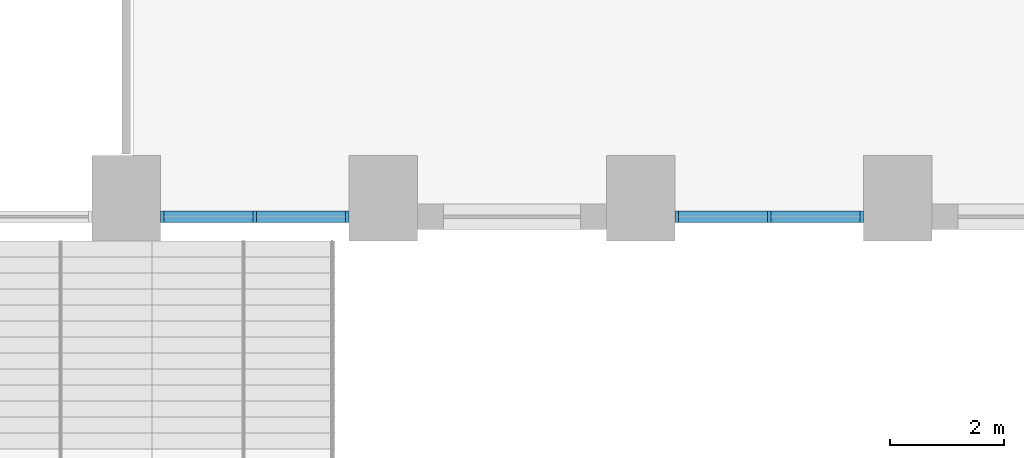
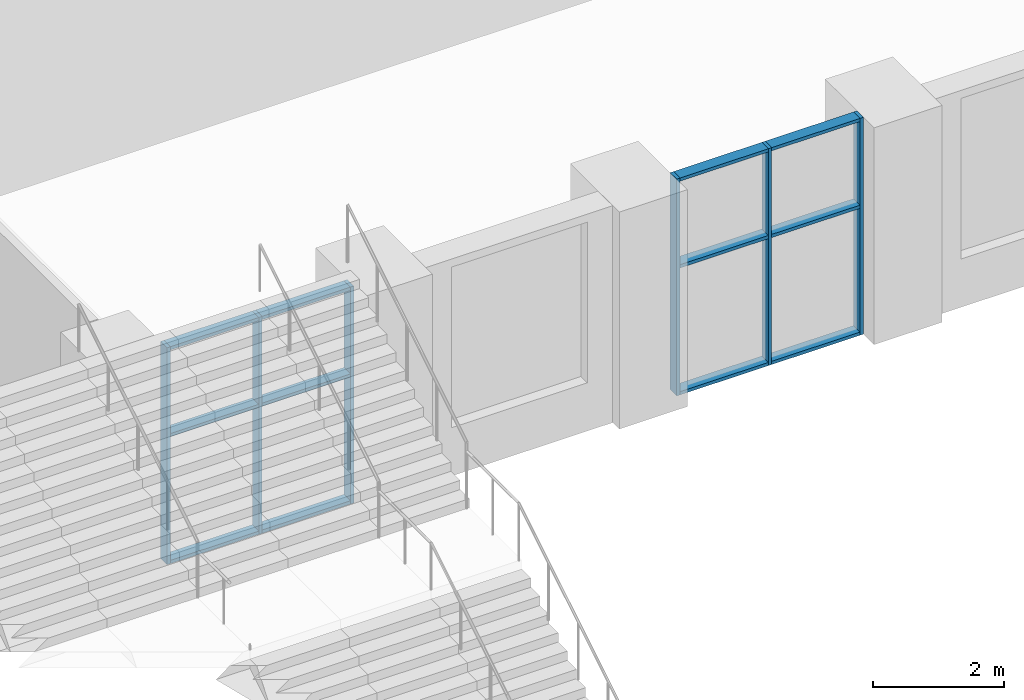
# One storey, part 4 of 42: 18 members, 2 elements without a shape of their own.
"""IFC4 building model written with IfcOpenShell, lengths in metres."""

import ifcopenshell
import ifcopenshell.guid

model = None  # the IFC model being written
_history = None  # IfcOwnerHistory: only IFC2X3 demands one
_inside = {}  # id of a spatial element -> (the spatial element, [elements in it])
_under = {}  # id of a project, library or spatial element -> (it, [spatial elements below it])
_declared = {}  # id of a project -> (the project, [libraries it declares])
_typed = {}  # id of a type object -> (the type object, [elements of that type])
_made_of = {}  # id of a material, layer set ... -> (it, [elements and type objects made of it])


def new_model(schema):
    """Start an empty IFC model of exactly this schema.

    Asked for "IFC4X3", IfcOpenShell would pick the latest addendum, in which some entities
    have other attributes; the version numbers below select the first issue.
    IFC2X3 requires an IfcOwnerHistory on every rooted entity: one is made here for all.
    """
    global model, _history
    if schema == "IFC4X3":
        model = ifcopenshell.file(schema_version=(4, 3, 0, 0))
    else:
        model = ifcopenshell.file(schema=schema)
    _inside.clear()
    _under.clear()
    _declared.clear()
    _typed.clear()
    _made_of.clear()
    _history = None
    if model.schema == "IFC2X3":
        org = make("IfcOrganization", Name="unknown")
        user = make(
            "IfcPersonAndOrganization",
            ThePerson=make("IfcPerson", FamilyName="unknown"),
            TheOrganization=org,
        )
        app = make(
            "IfcApplication",
            ApplicationDeveloper=org,
            Version="unknown",
            ApplicationFullName="unknown",
            ApplicationIdentifier="unknown",
        )
        _history = make(
            "IfcOwnerHistory",
            OwningUser=user,
            OwningApplication=app,
            ChangeAction="ADDED",
            CreationDate=0,
        )
    return model


def make(cls, **values):
    """One entity of the class cls with the attributes given. An attribute that is None is left unset."""
    return model.create_entity(
        cls, **{name: value for name, value in values.items() if value is not None}
    )


def rooted(cls, **values):
    """An entity with a GlobalId (a new one), such as an element, a storey or a relation."""
    return make(cls, GlobalId=ifcopenshell.guid.new(), OwnerHistory=_history, **values)


def si_unit(unit_type, name, prefix=None):
    """IfcSIUnit, for example si_unit("LENGTHUNIT", "METRE", prefix="MILLI")."""
    return make("IfcSIUnit", UnitType=unit_type, Prefix=prefix, Name=name)


def assignment(units):
    """IfcUnitAssignment: the units of a project."""
    return None if units is None else make("IfcUnitAssignment", Units=units)


def point(xyz):
    """IfcCartesianPoint."""
    return None if xyz is None else make("IfcCartesianPoint", Coordinates=xyz)


def direction(xyz):
    """IfcDirection."""
    return None if xyz is None else make("IfcDirection", DirectionRatios=xyz)


def frame(location, z_axis=None, x_axis=None):
    """IfcAxis2Placement3D, a coordinate frame: its origin and axes. An axis left out is left unset."""
    return make(
        "IfcAxis2Placement3D",
        Location=point(location),
        Axis=direction(z_axis),
        RefDirection=direction(x_axis),
    )


def frame_2d(location, x_axis=None):
    """IfcAxis2Placement2D, a coordinate frame in the plane: its origin and x axis."""
    return make(
        "IfcAxis2Placement2D", Location=point(location), RefDirection=direction(x_axis)
    )


def origin():
    """The frame at (0, 0, 0) with its axes left unset."""
    return frame((0.0, 0.0, 0.0))


def origin_2d():
    """The frame at (0, 0) in the plane with its x axis left unset."""
    return frame_2d((0.0, 0.0))


def place(relative_to, where):
    """IfcLocalPlacement: puts the frame where relative to a parent placement (None: the world)."""
    return make(
        "IfcLocalPlacement", PlacementRelTo=relative_to, RelativePlacement=where
    )


def context(
    kind, dimensions, precision=None, world=None, true_north=None, identifier=None
):
    """IfcGeometricRepresentationContext, for example the 3D "Model" context."""
    return make(
        "IfcGeometricRepresentationContext",
        ContextIdentifier=identifier,
        ContextType=kind,
        CoordinateSpaceDimension=dimensions,
        Precision=precision,
        WorldCoordinateSystem=world,
        TrueNorth=true_north,
    )


def subcontext(parent, identifier, kind, view, scale=None):
    """IfcGeometricRepresentationSubContext, for example "Body" below "Model"."""
    return make(
        "IfcGeometricRepresentationSubContext",
        ContextIdentifier=identifier,
        ContextType=kind,
        ParentContext=parent,
        TargetScale=scale,
        TargetView=view,
    )


def project(units=None, contexts=None):
    """IfcProject with its units and contexts."""
    return rooted(
        "IfcProject",
        Name="project",
        RepresentationContexts=contexts,
        UnitsInContext=assignment(units),
    )


def spatial(cls, under=None, at=None, **own):
    """A site, building, storey or space (cls), placed at a placement, below another one or the project."""
    s = rooted(cls, ObjectPlacement=at, **own)
    if under is not None:
        _under.setdefault(under.id(), (under, []))[1].append(s)
    return s


def profile(cls, at=None, kind="AREA", **sizes):
    """A parametric profile (cls). Its sizes go by their IFC names, for example OverallWidth=200.0."""
    return make(cls, ProfileType=kind, Position=at, **sizes)


def rectangle(**sizes):
    """IfcRectangleProfileDef."""
    return profile("IfcRectangleProfileDef", **sizes)


def extrude(swept, where, along, depth):
    """IfcExtrudedAreaSolid: the profile swept, set in the frame where, extruded along a direction by depth."""
    return make(
        "IfcExtrudedAreaSolid",
        SweptArea=swept,
        Position=where,
        ExtrudedDirection=direction(along),
        Depth=depth,
    )


def shape(context_of_items, identifier, shape_type, items):
    """IfcShapeRepresentation: the items that make up one representation, for example the "Body"."""
    return make(
        "IfcShapeRepresentation",
        ContextOfItems=context_of_items,
        RepresentationIdentifier=identifier,
        RepresentationType=shape_type,
        Items=items,
    )


def material(Name=None, Category=None):
    """IfcMaterial."""
    return make("IfcMaterial", Name=Name, Category=Category)


def layer(
    of_material, thickness, ventilated=None, Name=None, Category=None, Priority=None
):
    """IfcMaterialLayer: one layer of a wall or slab, of a material (None: an air gap)."""
    return make(
        "IfcMaterialLayer",
        Material=of_material,
        LayerThickness=thickness,
        IsVentilated=ventilated,
        Name=Name,
        Category=Category,
        Priority=Priority,
    )


def layer_set(layers, Name=None):
    """IfcMaterialLayerSet."""
    return make("IfcMaterialLayerSet", MaterialLayers=layers, LayerSetName=Name)


def material_profile(
    of_material, cross_section, Name=None, Category=None, Priority=None
):
    """IfcMaterialProfile: a cross section and its material."""
    return make(
        "IfcMaterialProfile",
        Name=Name,
        Material=of_material,
        Profile=cross_section,
        Priority=Priority,
        Category=Category,
    )


def profile_set(profiles, Name=None, composite=None):
    """IfcMaterialProfileSet."""
    return make(
        "IfcMaterialProfileSet",
        Name=Name,
        MaterialProfiles=profiles,
        CompositeProfile=composite,
    )


def made_of(thing, what):
    """Note that an element or type object is made of a material, layer set ...; save() writes the relation."""
    if what is not None:
        _made_of.setdefault(what.id(), (what, []))[1].append(thing)
    return thing


def type_object(cls, material=None, **own):
    """A type object (cls), such as IfcWallType, which elements share."""
    return made_of(rooted(cls, **own), material)


def element(
    cls,
    number,
    at=None,
    inside=None,
    cuts=None,
    type_object=None,
    material=None,
    context=None,
    identifier="Body",
    shape_type=None,
    held_by="IfcProductDefinitionShape",
    body=None,
    shapes=None,
    **own,
):
    """One element of the class cls, such as IfcWall. Its Tag is "e" and its number.

    at: its placement. inside: the storey or other place that contains it. cuts: it is an
    opening in that element (IfcRelVoidsElement). A single representation is given by context,
    identifier, shape_type and body (its items); several are given by shapes. held_by: the class
    of the entity that holds the representations. save() writes the other relations.
    """
    e = rooted(cls, Tag="e%d" % number, ObjectPlacement=at, **own)
    if body is not None:
        shapes = [shape(context, identifier, shape_type, body)]
    if shapes is not None:
        e.Representation = make(held_by, Representations=shapes)
    if inside is not None:
        _inside.setdefault(inside.id(), (inside, []))[1].append(e)
    if cuts is not None:
        rooted(
            "IfcRelVoidsElement", RelatingBuildingElement=cuts, RelatedOpeningElement=e
        )
    if type_object is not None:
        _typed.setdefault(type_object.id(), (type_object, []))[1].append(e)
    return made_of(e, material)


def aggregate(whole, parts):
    """IfcRelAggregates: a whole, such as a stair, and the parts it consists of."""
    return rooted("IfcRelAggregates", RelatingObject=whole, RelatedObjects=parts)


def save(model, path):
    """Write the relations noted so far, then the file.

    IfcRelAggregates (storeys below a building ...), IfcRelContainedInSpatialStructure (elements
    in a storey), IfcRelDefinesByType, IfcRelAssociatesMaterial and IfcRelDeclares: one each for
    every whole, place, type object, material and project.
    """
    for whole, parts in _under.values():
        aggregate(whole, parts)
    for where, things in _inside.values():
        rooted(
            "IfcRelContainedInSpatialStructure",
            RelatedElements=things,
            RelatingStructure=where,
        )
    for kind, things in _typed.values():
        rooted("IfcRelDefinesByType", RelatedObjects=things, RelatingType=kind)
    for what, things in _made_of.values():
        rooted("IfcRelAssociatesMaterial", RelatedObjects=things, RelatingMaterial=what)
    for by, libraries in _declared.values():
        rooted("IfcRelDeclares", RelatingContext=by, RelatedDefinitions=libraries)
    model.write(path)


model = new_model("IFC4")

# Units and contexts
model_context = context("Model", 3, precision=1e-05, world=origin(), true_north=direction((0.0, 1.0)))
body_context = subcontext(model_context, "Body", "Model", "MODEL_VIEW")
ifc_project = project(units=[si_unit("LENGTHUNIT", "METRE"), si_unit("AREAUNIT", "SQUARE_METRE"), si_unit("VOLUMEUNIT", "CUBIC_METRE"), si_unit("PLANEANGLEUNIT", "RADIAN"), si_unit("MASSUNIT", "GRAM", prefix="KILO")], contexts=[model_context])

# Site, building, storey
site_placement = place(None, origin())
site = spatial("IfcSite", under=ifc_project, at=site_placement, CompositionType="ELEMENT")
building_placement = place(site_placement, origin())
building = spatial("IfcBuilding", under=site, at=building_placement, Name="Dhurran Vertical Campus", CompositionType="ELEMENT")
storey_placement = place(building_placement, frame((0.0, 0.0, 6.0)))
storey = spatial("IfcBuildingStorey", under=building, at=storey_placement, Name="L01", CompositionType="ELEMENT", Elevation=6.0)

# Curtain wall, members
ifc_material_1 = material(Name="Aluminium frame with solar-control glass", Category="aluminium")
ifc_layer = layer(ifc_material_1, 0.199951171875)
ifc_layer_set = layer_set([ifc_layer], Name="Aluminium frame with solar-control glass")
curtain_wall_type = type_object("IfcCurtainWallType", Name="Entrance glazing system", PredefinedType="NOTDEFINED", material=ifc_layer_set)
curtain_wall_1_placement = place(storey_placement, origin())
curtain_wall_1 = element("IfcCurtainWall", 1, at=curtain_wall_1_placement, inside=storey, type_object=curtain_wall_type, Name="CW1 L01.08", PredefinedType="NOTDEFINED")
ifc_material_2 = material(Name="Aluminium mullion", Category="aluminium")
ifc_material_profile_1 = material_profile(ifc_material_2, rectangle(XDim=0.199951171875, YDim=0.06005859375, at=origin_2d()), Name="Entrance glazing system mullion")
ifc_profile_set_1 = profile_set([ifc_material_profile_1], Name="Aluminium mullion")
member_type_1 = type_object("IfcMemberType", Name="Entrance glazing system mullion", PredefinedType="MULLION", material=ifc_profile_set_1)
member_1_placement = place(storey_placement, frame((7.380615234375, -46.943359375, 0.0), z_axis=(0.0, 0.0, 1.0), x_axis=(0.0, 1.0, 0.0)))
member_1 = element("IfcMember", 2, at=member_1_placement, type_object=member_type_1, Name="CW1 mullion 1", PredefinedType="MULLION", context=body_context, shape_type="SweptSolid", body=[
    extrude(rectangle(XDim=0.199951171875, YDim=0.06005859375, at=origin_2d()), origin(), (0.0, 0.0, 1.0), 4.050048828125),
])
member_2_placement = place(storey_placement, frame((9.0, -46.943359375, 0.0), z_axis=(0.0, 0.0, 1.0), x_axis=(0.0, 1.0, 0.0)))
member_2 = element("IfcMember", 3, at=member_2_placement, type_object=member_type_1, Name="CW1 mullion 2", PredefinedType="MULLION", context=body_context, shape_type="SweptSolid", body=[
    extrude(rectangle(XDim=0.199951171875, YDim=0.06005859375, at=origin_2d()), origin(), (0.0, 0.0, 1.0), 4.050048828125),
])
member_3_placement = place(storey_placement, frame((10.619384765625, -46.943359375, 0.0), z_axis=(0.0, 0.0, 1.0), x_axis=(0.0, 1.0, 0.0)))
member_3 = element("IfcMember", 4, at=member_3_placement, type_object=member_type_1, Name="CW1 mullion 3", PredefinedType="MULLION", context=body_context, shape_type="SweptSolid", body=[
    extrude(rectangle(XDim=0.199951171875, YDim=0.06005859375, at=origin_2d()), origin(), (0.0, 0.0, 1.0), 4.050048828125),
])

curtain_wall_2_placement = place(storey_placement, origin())
curtain_wall_2 = element("IfcCurtainWall", 5, at=curtain_wall_2_placement, inside=storey, type_object=curtain_wall_type, Name="CW1 L01.10", PredefinedType="NOTDEFINED")
member_4_placement = place(storey_placement, frame((16.380615234375, -46.943359375, 0.0), z_axis=(0.0, 0.0, 1.0), x_axis=(0.0, 1.0, 0.0)))
member_4 = element("IfcMember", 6, at=member_4_placement, type_object=member_type_1, Name="CW1 mullion 1", PredefinedType="MULLION", context=body_context, shape_type="SweptSolid", body=[
    extrude(rectangle(XDim=0.199951171875, YDim=0.06005859375, at=origin_2d()), origin(), (0.0, 0.0, 1.0), 4.050048828125),
])
member_5_placement = place(storey_placement, frame((18.0, -46.943359375, 0.0), z_axis=(0.0, 0.0, 1.0), x_axis=(0.0, 1.0, 0.0)))
member_5 = element("IfcMember", 7, at=member_5_placement, type_object=member_type_1, Name="CW1 mullion 2", PredefinedType="MULLION", context=body_context, shape_type="SweptSolid", body=[
    extrude(rectangle(XDim=0.199951171875, YDim=0.06005859375, at=origin_2d()), origin(), (0.0, 0.0, 1.0), 4.050048828125),
])
member_6_placement = place(storey_placement, frame((19.619384765625, -46.943359375, 0.0), z_axis=(0.0, 0.0, 1.0), x_axis=(0.0, 1.0, 0.0)))
member_6 = element("IfcMember", 8, at=member_6_placement, type_object=member_type_1, Name="CW1 mullion 3", PredefinedType="MULLION", context=body_context, shape_type="SweptSolid", body=[
    extrude(rectangle(XDim=0.199951171875, YDim=0.06005859375, at=origin_2d()), origin(), (0.0, 0.0, 1.0), 4.050048828125),
])

# Member
ifc_material_3 = material(Name="Aluminium transom", Category="aluminium")
ifc_material_profile_2 = material_profile(ifc_material_3, rectangle(XDim=0.199951171875, YDim=0.06005859375, at=origin_2d()), Name="Entrance glazing system transom")
ifc_profile_set_2 = profile_set([ifc_material_profile_2], Name="Aluminium transom")
member_type_2 = type_object("IfcMemberType", Name="Entrance glazing system transom", PredefinedType="USERDEFINED", material=ifc_profile_set_2)
member_7_placement = place(storey_placement, frame((7.410400390625, -46.943359375, 0.030029296875), z_axis=(1.0, 0.0, 0.0), x_axis=(0.0, 1.0, 0.0)))
member_7 = element("IfcMember", 9, at=member_7_placement, type_object=member_type_2, Name="CW1 transom 1.1", ObjectType="TRANSOM", PredefinedType="USERDEFINED", context=body_context, shape_type="SweptSolid", body=[
    extrude(rectangle(XDim=0.199951171875, YDim=0.06005859375, at=origin_2d()), origin(), (0.0, 0.0, 1.0), 1.5595703125),
])

member_8_placement = place(storey_placement, frame((7.410400390625, -46.943359375, 2.39990234375), z_axis=(1.0, 0.0, 0.0), x_axis=(0.0, 1.0, 0.0)))
member_8 = element("IfcMember", 10, at=member_8_placement, type_object=member_type_2, Name="CW1 transom 1.2", ObjectType="TRANSOM", PredefinedType="USERDEFINED", context=body_context, shape_type="SweptSolid", body=[
    extrude(rectangle(XDim=0.199951171875, YDim=0.06005859375, at=origin_2d()), origin(), (0.0, 0.0, 1.0), 1.5595703125),
])

member_9_placement = place(storey_placement, frame((7.410400390625, -46.943359375, 4.02001953125), z_axis=(1.0, 0.0, 0.0), x_axis=(0.0, 1.0, 0.0)))
member_9 = element("IfcMember", 11, at=member_9_placement, type_object=member_type_2, Name="CW1 transom 1.3", ObjectType="TRANSOM", PredefinedType="USERDEFINED", context=body_context, shape_type="SweptSolid", body=[
    extrude(rectangle(XDim=0.199951171875, YDim=0.06005859375, at=origin_2d()), origin(), (0.0, 0.0, 1.0), 1.5595703125),
])

member_10_placement = place(storey_placement, frame((9.030029296875, -46.943359375, 0.030029296875), z_axis=(1.0, 0.0, 0.0), x_axis=(0.0, 1.0, 0.0)))
member_10 = element("IfcMember", 12, at=member_10_placement, type_object=member_type_2, Name="CW1 transom 2.1", ObjectType="TRANSOM", PredefinedType="USERDEFINED", context=body_context, shape_type="SweptSolid", body=[
    extrude(rectangle(XDim=0.199951171875, YDim=0.06005859375, at=origin_2d()), origin(), (0.0, 0.0, 1.0), 1.5595703125),
])

member_11_placement = place(storey_placement, frame((9.030029296875, -46.943359375, 2.39990234375), z_axis=(1.0, 0.0, 0.0), x_axis=(0.0, 1.0, 0.0)))
member_11 = element("IfcMember", 13, at=member_11_placement, type_object=member_type_2, Name="CW1 transom 2.2", ObjectType="TRANSOM", PredefinedType="USERDEFINED", context=body_context, shape_type="SweptSolid", body=[
    extrude(rectangle(XDim=0.199951171875, YDim=0.06005859375, at=origin_2d()), origin(), (0.0, 0.0, 1.0), 1.5595703125),
])

member_12_placement = place(storey_placement, frame((9.030029296875, -46.943359375, 4.02001953125), z_axis=(1.0, 0.0, 0.0), x_axis=(0.0, 1.0, 0.0)))
member_12 = element("IfcMember", 14, at=member_12_placement, type_object=member_type_2, Name="CW1 transom 2.3", ObjectType="TRANSOM", PredefinedType="USERDEFINED", context=body_context, shape_type="SweptSolid", body=[
    extrude(rectangle(XDim=0.199951171875, YDim=0.06005859375, at=origin_2d()), origin(), (0.0, 0.0, 1.0), 1.5595703125),
])

aggregate(curtain_wall_1, [member_1, member_2, member_3, member_7, member_8, member_9, member_10, member_11, member_12])

member_13_placement = place(storey_placement, frame((16.410400390625, -46.943359375, 0.030029296875), z_axis=(1.0, 0.0, 0.0), x_axis=(0.0, 1.0, 0.0)))
member_13 = element("IfcMember", 15, at=member_13_placement, type_object=member_type_2, Name="CW1 transom 1.1", ObjectType="TRANSOM", PredefinedType="USERDEFINED", context=body_context, shape_type="SweptSolid", body=[
    extrude(rectangle(XDim=0.199951171875, YDim=0.06005859375, at=origin_2d()), origin(), (0.0, 0.0, 1.0), 1.5595703125),
])

member_14_placement = place(storey_placement, frame((16.410400390625, -46.943359375, 2.39990234375), z_axis=(1.0, 0.0, 0.0), x_axis=(0.0, 1.0, 0.0)))
member_14 = element("IfcMember", 16, at=member_14_placement, type_object=member_type_2, Name="CW1 transom 1.2", ObjectType="TRANSOM", PredefinedType="USERDEFINED", context=body_context, shape_type="SweptSolid", body=[
    extrude(rectangle(XDim=0.199951171875, YDim=0.06005859375, at=origin_2d()), origin(), (0.0, 0.0, 1.0), 1.5595703125),
])

member_15_placement = place(storey_placement, frame((16.410400390625, -46.943359375, 4.02001953125), z_axis=(1.0, 0.0, 0.0), x_axis=(0.0, 1.0, 0.0)))
member_15 = element("IfcMember", 17, at=member_15_placement, type_object=member_type_2, Name="CW1 transom 1.3", ObjectType="TRANSOM", PredefinedType="USERDEFINED", context=body_context, shape_type="SweptSolid", body=[
    extrude(rectangle(XDim=0.199951171875, YDim=0.06005859375, at=origin_2d()), origin(), (0.0, 0.0, 1.0), 1.5595703125),
])

member_16_placement = place(storey_placement, frame((18.030029296875, -46.943359375, 0.030029296875), z_axis=(1.0, 0.0, 0.0), x_axis=(0.0, 1.0, 0.0)))
member_16 = element("IfcMember", 18, at=member_16_placement, type_object=member_type_2, Name="CW1 transom 2.1", ObjectType="TRANSOM", PredefinedType="USERDEFINED", context=body_context, shape_type="SweptSolid", body=[
    extrude(rectangle(XDim=0.199951171875, YDim=0.06005859375, at=origin_2d()), origin(), (0.0, 0.0, 1.0), 1.5595703125),
])

member_17_placement = place(storey_placement, frame((18.030029296875, -46.943359375, 2.39990234375), z_axis=(1.0, 0.0, 0.0), x_axis=(0.0, 1.0, 0.0)))
member_17 = element("IfcMember", 19, at=member_17_placement, type_object=member_type_2, Name="CW1 transom 2.2", ObjectType="TRANSOM", PredefinedType="USERDEFINED", context=body_context, shape_type="SweptSolid", body=[
    extrude(rectangle(XDim=0.199951171875, YDim=0.06005859375, at=origin_2d()), origin(), (0.0, 0.0, 1.0), 1.5595703125),
])

member_18_placement = place(storey_placement, frame((18.030029296875, -46.943359375, 4.02001953125), z_axis=(1.0, 0.0, 0.0), x_axis=(0.0, 1.0, 0.0)))
member_18 = element("IfcMember", 20, at=member_18_placement, type_object=member_type_2, Name="CW1 transom 2.3", ObjectType="TRANSOM", PredefinedType="USERDEFINED", context=body_context, shape_type="SweptSolid", body=[
    extrude(rectangle(XDim=0.199951171875, YDim=0.06005859375, at=origin_2d()), origin(), (0.0, 0.0, 1.0), 1.5595703125),
])

aggregate(curtain_wall_2, [member_4, member_5, member_6, member_13, member_14, member_15, member_16, member_17, member_18])

save(model, "model.ifc")
